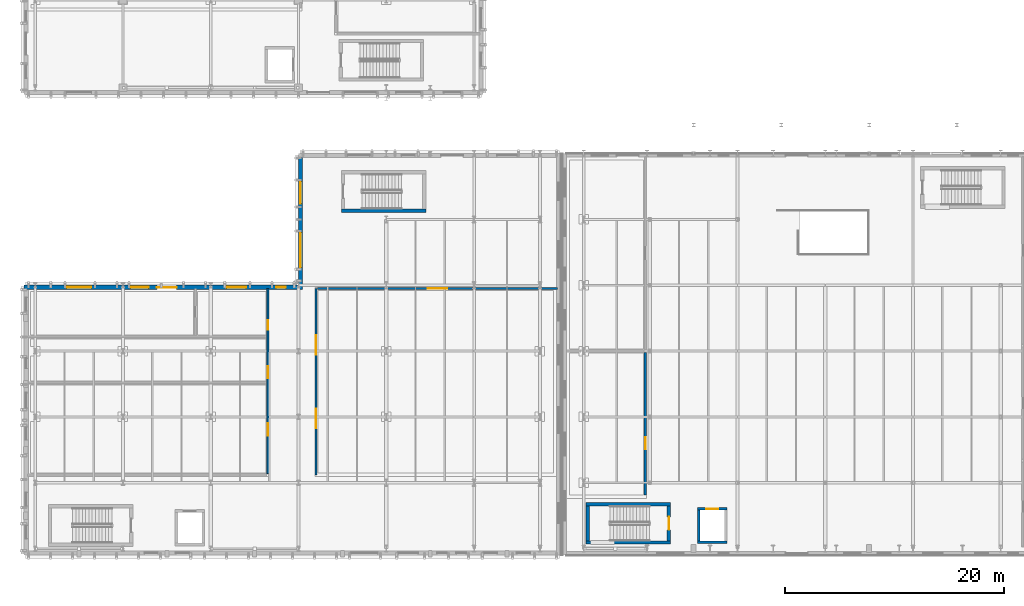
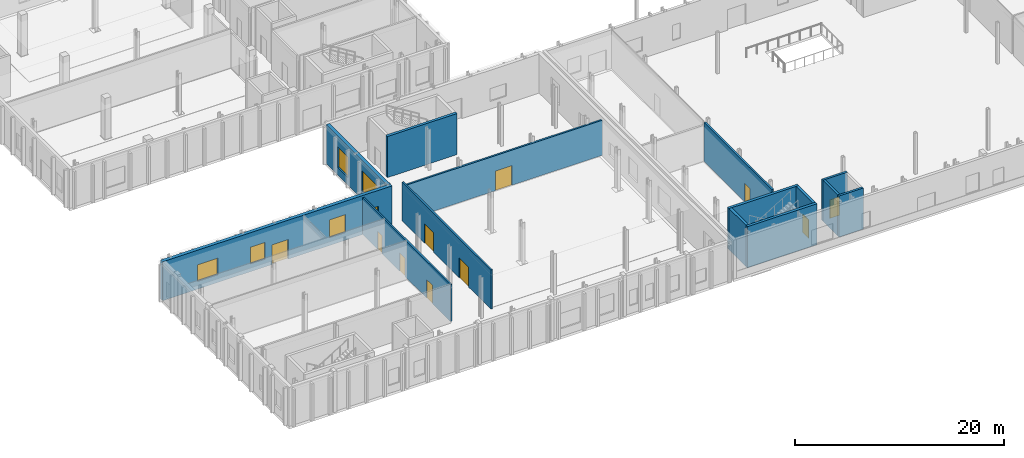
# One storey, part 22 of 60: 14 walls, 10 doors, 6 windows, 16 openings.
"""IFC4 building model written with IfcOpenShell, lengths in metres."""

from ifc_helpers import new_model, si_unit, direction, frame, frame_2d, origin, place, context, subcontext, project, spatial, rectangle, extrude, material, layer, layer_set, type_object, element, fill, save


model = new_model("IFC4")

# Units and contexts
model_context = context("Model", 3, precision=1e-05, world=origin(), true_north=direction((0.0, 1.0)))
body_context = subcontext(model_context, "Body", "Model", "MODEL_VIEW")
ifc_project = project(units=[si_unit("LENGTHUNIT", "METRE"), si_unit("AREAUNIT", "SQUARE_METRE"), si_unit("VOLUMEUNIT", "CUBIC_METRE"), si_unit("PLANEANGLEUNIT", "RADIAN"), si_unit("MASSUNIT", "GRAM", prefix="KILO")], contexts=[model_context])

# Site, building, storey
site_placement = place(None, origin())
site = spatial("IfcSite", under=ifc_project, at=site_placement, CompositionType="ELEMENT")
building_placement = place(site_placement, origin())
building = spatial("IfcBuilding", under=site, at=building_placement, Name="Cymarion Research Institute", CompositionType="ELEMENT")
storey_placement = place(building_placement, origin())
storey = spatial("IfcBuildingStorey", under=building, at=storey_placement, Name="L00", CompositionType="ELEMENT", Elevation=0.0)

# Wall, openings, windows
ifc_material_1 = material(Name="Precast concrete C40/50", Category="concrete")
ifc_layer_1 = layer(ifc_material_1, 0.3798828125)
ifc_layer_set_1 = layer_set([ifc_layer_1], Name="Precast concrete C40/50")
wall_type_1 = type_object("IfcWallType", Name="EXTERIOR WALL EW-PC380 380MM", PredefinedType="SOLIDWALL", material=ifc_layer_set_1)
wall_1_placement = place(storey_placement, frame((30.7900390625, 41.137939453125, 0.0), z_axis=(0.0, 0.0, 1.0), x_axis=(0.0, -1.0, 0.0)))
wall_1 = element("IfcWall", 1, at=wall_1_placement, inside=storey, type_object=wall_type_1, Name="L00 V3 exterior wall EW-PC380 #62", PredefinedType="SOLIDWALL", context=body_context, shape_type="SweptSolid", body=[
    extrude(rectangle(XDim=11.637939453125, YDim=0.3798828125, at=frame_2d((5.81884765625, 0.0))), origin(), (0.0, 0.0, 1.0), 4.550048828125),
])
opening_1_placement = place(wall_1_placement, frame((2.198974609375, 0.0, 0.89990234375)))
opening_1 = element("IfcOpeningElement", 2, at=opening_1_placement, cuts=wall_1, Name="Opening W21", PredefinedType="OPENING", context=body_context, shape_type="SweptSolid", body=[
    extrude(rectangle(XDim=2.0, YDim=2.39990234375, at=frame_2d((1.0, 1.199951171875))), frame((0.0, 0.199951171875, 0.0), z_axis=(0.0, -1.0, 0.0), x_axis=(1.0, 0.0, 0.0)), (0.0, 0.0, 1.0), 0.39990234375),
])
opening_2_placement = place(wall_1_placement, frame((6.837890625, 0.0, 0.89990234375)))
opening_2 = element("IfcOpeningElement", 3, at=opening_2_placement, cuts=wall_1, Name="Opening W23", PredefinedType="OPENING", context=body_context, shape_type="SweptSolid", body=[
    extrude(rectangle(XDim=3.199951171875, YDim=2.39990234375, at=frame_2d((1.60009765625, 1.199951171875))), frame((0.0, 0.199951171875, 0.0), z_axis=(0.0, -1.0, 0.0), x_axis=(1.0, 0.0, 0.0)), (0.0, 0.0, 1.0), 0.39990234375),
])
ifc_material_2 = material(Name="Thermally broken aluminium window with Low-E glazing", Category="aluminium")
window_type_1 = type_object("IfcWindowType", Name="THERMALLY BROKEN ALUMINIUM WINDOW W21 2000X2400", PartitioningType="DOUBLE_PANEL_VERTICAL", PredefinedType="WINDOW", material=ifc_material_2)
window_1_placement = place(opening_1_placement, origin())
window_1 = element("IfcWindow", 4, at=window_1_placement, inside=storey, type_object=window_type_1, Name="L00 V3 facade window W21 #85", OverallHeight=2.39990234375, OverallWidth=2.0, PartitioningType="SINGLE_PANEL", PredefinedType="WINDOW", context=body_context, shape_type="SweptSolid", body=[
    extrude(rectangle(XDim=2.0, YDim=2.39990234375, at=frame_2d((1.0, 1.199951171875))), frame((0.0, 0.030029296875, 0.0), z_axis=(0.0, -1.0, 0.0), x_axis=(1.0, 0.0, 0.0)), (0.0, 0.0, 1.0), 0.06005859375),
])
fill(opening_1, window_1)
window_type_2 = type_object("IfcWindowType", Name="THERMALLY BROKEN ALUMINIUM WINDOW W23 3200X2400", PartitioningType="TRIPLE_PANEL_VERTICAL", PredefinedType="WINDOW", material=ifc_material_2)
window_2_placement = place(opening_2_placement, origin())
window_2 = element("IfcWindow", 5, at=window_2_placement, inside=storey, type_object=window_type_2, Name="L00 V3 facade window W23 #86", OverallHeight=2.39990234375, OverallWidth=3.199951171875, PartitioningType="SINGLE_PANEL", PredefinedType="WINDOW", context=body_context, shape_type="SweptSolid", body=[
    extrude(rectangle(XDim=3.199951171875, YDim=2.39990234375, at=frame_2d((1.60009765625, 1.199951171875))), frame((0.0, 0.030029296875, 0.0), z_axis=(0.0, -1.0, 0.0), x_axis=(1.0, 0.0, 0.0)), (0.0, 0.0, 1.0), 0.06005859375),
])
fill(opening_2, window_2)

# Wall, openings, door, windows
wall_2_placement = place(storey_placement, frame((30.9619140625, 29.31005859375, 0.0), z_axis=(0.0, 0.0, 1.0), x_axis=(-1.0, 0.0, 0.0)))
wall_2 = element("IfcWall", 6, at=wall_2_placement, inside=storey, type_object=wall_type_1, Name="L00 V3 exterior wall EW-PC380 #63", PredefinedType="SOLIDWALL", context=body_context, shape_type="SweptSolid", body=[
    extrude(rectangle(XDim=25.36181640625, YDim=0.3798828125, at=frame_2d((12.680908203125, 0.0))), origin(), (0.0, 0.0, 1.0), 4.550048828125),
])
opening_3_placement = place(wall_2_placement, frame((11.4619140625, 0.0, 0.0)))
opening_3 = element("IfcOpeningElement", 7, at=opening_3_placement, cuts=wall_2, Name="Opening D-EX11", PredefinedType="OPENING", context=body_context, shape_type="SweptSolid", body=[
    extrude(rectangle(XDim=1.800048828125, YDim=2.300048828125, at=frame_2d((0.89990234375, 1.14990234375))), frame((0.0, 0.199951171875, 0.0), z_axis=(0.0, -1.0, 0.0), x_axis=(1.0, 0.0, 0.0)), (0.0, 0.0, 1.0), 0.39990234375),
])
opening_4_placement = place(wall_2_placement, frame((1.511962890625, 0.0, 0.89990234375)))
opening_4 = element("IfcOpeningElement", 8, at=opening_4_placement, cuts=wall_2, Name="Opening W24", PredefinedType="OPENING", context=body_context, shape_type="SweptSolid", body=[
    extrude(rectangle(XDim=0.89990234375, YDim=1.800048828125, at=frame_2d((0.449951171875, 0.89990234375))), frame((0.0, 0.199951171875, 0.0), z_axis=(0.0, -1.0, 0.0), x_axis=(1.0, 0.0, 0.0)), (0.0, 0.0, 1.0), 0.39990234375),
])
opening_5_placement = place(wall_2_placement, frame((5.14208984375, 0.0, 0.89990234375)))
opening_5 = element("IfcOpeningElement", 9, at=opening_5_placement, cuts=wall_2, Name="Opening W10", PredefinedType="OPENING", context=body_context, shape_type="SweptSolid", body=[
    extrude(rectangle(XDim=1.800048828125, YDim=2.10009765625, at=frame_2d((0.89990234375, 1.050048828125))), frame((0.0, 0.199951171875, 0.0), z_axis=(0.0, -1.0, 0.0), x_axis=(1.0, 0.0, 0.0)), (0.0, 0.0, 1.0), 0.39990234375),
])
opening_6_placement = place(wall_2_placement, frame((14.02197265625, 0.0, 0.89990234375)))
opening_6 = element("IfcOpeningElement", 10, at=opening_6_placement, cuts=wall_2, Name="Opening W28", PredefinedType="OPENING", context=body_context, shape_type="SweptSolid", body=[
    extrude(rectangle(XDim=1.64990234375, YDim=1.949951171875, at=frame_2d((0.824951171875, 0.97509765625))), frame((0.0, 0.199951171875, 0.0), z_axis=(0.0, -1.0, 0.0), x_axis=(1.0, 0.0, 0.0)), (0.0, 0.0, 1.0), 0.39990234375),
])
opening_7_placement = place(wall_2_placement, frame((19.237060546875, 0.0, 0.89990234375)))
opening_7 = element("IfcOpeningElement", 11, at=opening_7_placement, cuts=wall_2, Name="Opening W30", PredefinedType="OPENING", context=body_context, shape_type="SweptSolid", body=[
    extrude(rectangle(XDim=2.25, YDim=1.949951171875, at=frame_2d((1.125, 0.97509765625))), frame((0.0, 0.199951171875, 0.0), z_axis=(0.0, -1.0, 0.0), x_axis=(1.0, 0.0, 0.0)), (0.0, 0.0, 1.0), 0.39990234375),
])
ifc_material_3 = material(Name="Thermally broken anodised aluminium glazed door", Category="aluminium")
door_type_1 = type_object("IfcDoorType", Name="GLAZED ALUMINIUM DOUBLE EXIT DOOR DT-EX180 1800X2300", OperationType="DOUBLE_DOOR_SINGLE_SWING", PredefinedType="DOOR", material=ifc_material_3)
door_1_placement = place(opening_3_placement, frame((1.800048828125, 0.0, 0.0), z_axis=(0.0, 0.0, 1.0), x_axis=(-1.0, 0.0, 0.0)))
door_1 = element("IfcDoor", 12, at=door_1_placement, inside=storey, type_object=door_type_1, Name="L00 V3 Final Exit Door D-EX11", OperationType="DOUBLE_DOOR_SINGLE_SWING", OverallHeight=2.300048828125, OverallWidth=1.800048828125, PredefinedType="DOOR", context=body_context, shape_type="SweptSolid", body=[
    extrude(rectangle(XDim=1.800048828125, YDim=2.300048828125, at=frame_2d((0.89990234375, 1.14990234375))), frame((0.0, 0.02490234375, 0.0), z_axis=(0.0, -1.0, 0.0), x_axis=(1.0, 0.0, 0.0)), (0.0, 0.0, 1.0), 0.050048828125),
])
fill(opening_3, door_1)
window_type_3 = type_object("IfcWindowType", Name="THERMALLY BROKEN ALUMINIUM WINDOW W10 1800X2100", PartitioningType="DOUBLE_PANEL_VERTICAL", PredefinedType="WINDOW", material=ifc_material_2)
window_3_placement = place(opening_5_placement, origin())
window_3 = element("IfcWindow", 13, at=window_3_placement, inside=storey, type_object=window_type_3, Name="L00 V3 facade window W10 #88", OverallHeight=2.10009765625, OverallWidth=1.800048828125, PartitioningType="SINGLE_PANEL", PredefinedType="WINDOW", context=body_context, shape_type="SweptSolid", body=[
    extrude(rectangle(XDim=1.800048828125, YDim=2.10009765625, at=frame_2d((0.89990234375, 1.050048828125))), frame((0.0, 0.030029296875, 0.0), z_axis=(0.0, -1.0, 0.0), x_axis=(1.0, 0.0, 0.0)), (0.0, 0.0, 1.0), 0.06005859375),
])
fill(opening_5, window_3)
window_type_4 = type_object("IfcWindowType", Name="THERMALLY BROKEN ALUMINIUM WINDOW W24 900X1800", PartitioningType="SINGLE_PANEL", PredefinedType="WINDOW", material=ifc_material_2)
window_4_placement = place(opening_4_placement, origin())
window_4 = element("IfcWindow", 14, at=window_4_placement, inside=storey, type_object=window_type_4, Name="L00 V3 facade window W24 #87", OverallHeight=1.800048828125, OverallWidth=0.89990234375, PartitioningType="SINGLE_PANEL", PredefinedType="WINDOW", context=body_context, shape_type="SweptSolid", body=[
    extrude(rectangle(XDim=0.89990234375, YDim=1.800048828125, at=frame_2d((0.449951171875, 0.89990234375))), frame((0.0, 0.030029296875, 0.0), z_axis=(0.0, -1.0, 0.0), x_axis=(1.0, 0.0, 0.0)), (0.0, 0.0, 1.0), 0.06005859375),
])
fill(opening_4, window_4)
window_type_5 = type_object("IfcWindowType", Name="THERMALLY BROKEN ALUMINIUM WINDOW W28 1650X1950", PartitioningType="DOUBLE_PANEL_VERTICAL", PredefinedType="WINDOW", material=ifc_material_2)
window_5_placement = place(opening_6_placement, origin())
window_5 = element("IfcWindow", 15, at=window_5_placement, inside=storey, type_object=window_type_5, Name="L00 V3 facade window W28 #89", OverallHeight=1.949951171875, OverallWidth=1.64990234375, PartitioningType="SINGLE_PANEL", PredefinedType="WINDOW", context=body_context, shape_type="SweptSolid", body=[
    extrude(rectangle(XDim=1.64990234375, YDim=1.949951171875, at=frame_2d((0.824951171875, 0.97509765625))), frame((0.0, 0.030029296875, 0.0), z_axis=(0.0, -1.0, 0.0), x_axis=(1.0, 0.0, 0.0)), (0.0, 0.0, 1.0), 0.06005859375),
])
fill(opening_6, window_5)
window_type_6 = type_object("IfcWindowType", Name="THERMALLY BROKEN ALUMINIUM WINDOW W30 2250X1950", PartitioningType="DOUBLE_PANEL_VERTICAL", PredefinedType="WINDOW", material=ifc_material_2)
window_6_placement = place(opening_7_placement, origin())
window_6 = element("IfcWindow", 16, at=window_6_placement, inside=storey, type_object=window_type_6, Name="L00 V3 facade window W30 #90", OverallHeight=1.949951171875, OverallWidth=2.25, PartitioningType="SINGLE_PANEL", PredefinedType="WINDOW", context=body_context, shape_type="SweptSolid", body=[
    extrude(rectangle(XDim=2.25, YDim=1.949951171875, at=frame_2d((1.125, 0.97509765625))), frame((0.0, 0.030029296875, 0.0), z_axis=(0.0, -1.0, 0.0), x_axis=(1.0, 0.0, 0.0)), (0.0, 0.0, 1.0), 0.06005859375),
])
fill(opening_7, window_6)

# Wall, opening, door
ifc_material_4 = material(Name="Autoclaved aerated masonry block AAC-4", Category="masonry")
ifc_layer_2 = layer(ifc_material_4, 0.199951171875)
ifc_layer_set_2 = layer_set([ifc_layer_2], Name="Autoclaved aerated masonry block AAC-4")
wall_type_2 = type_object("IfcWallType", Name="INTERIOR PARTITION IW-FR200 200MM", PredefinedType="SOLIDWALL", material=ifc_layer_set_2)
wall_3_placement = place(storey_placement, frame((62.199951171875, 10.39990234375, 0.0), z_axis=(0.0, 0.0, 1.0), x_axis=(0.0, 1.0, 0.0)))
wall_3 = element("IfcWall", 17, at=wall_3_placement, inside=storey, type_object=wall_type_2, Name="L00 V2 interior partition IW-FR200 #66", PredefinedType="SOLIDWALL", context=body_context, shape_type="SweptSolid", body=[
    extrude(rectangle(XDim=12.9501953125, YDim=0.199951171875, at=frame_2d((6.47509765625, 0.0))), origin(), (0.0, 0.0, 1.0), 4.550048828125),
])
opening_8_placement = place(wall_3_placement, frame((4.14697265625, 0.0, 0.0)))
opening_8 = element("IfcOpeningElement", 18, at=opening_8_placement, cuts=wall_3, Name="Opening D-L00-047", PredefinedType="OPENING", context=body_context, shape_type="SweptSolid", body=[
    extrude(rectangle(XDim=1.10009765625, YDim=2.14990234375, at=frame_2d((0.550048828125, 1.074951171875))), frame((0.0, 0.10986328125, 0.0), z_axis=(0.0, -1.0, 0.0), x_axis=(1.0, 0.0, 0.0)), (0.0, 0.0, 1.0), 0.219970703125),
])
ifc_material_5 = material(Name="Flush acoustic timber/steel door assembly", Category="steel")
door_type_2 = type_object("IfcDoorType", Name="LABORATORY WIDE SINGLE DOOR DT-LB110 1100X2150", OperationType="NOTDEFINED", PredefinedType="DOOR", material=ifc_material_5)
door_2_placement = place(opening_8_placement, origin())
door_2 = element("IfcDoor", 19, at=door_2_placement, inside=storey, type_object=door_type_2, Name="L00 Fire Command Room door D-L00-047", OperationType="SINGLE_SWING_RIGHT", OverallHeight=2.14990234375, OverallWidth=1.10009765625, PredefinedType="DOOR", context=body_context, shape_type="SweptSolid", body=[
    extrude(rectangle(XDim=1.10009765625, YDim=2.14990234375, at=frame_2d((0.550048828125, 1.074951171875))), frame((0.0, 0.02490234375, 0.0), z_axis=(0.0, -1.0, 0.0), x_axis=(1.0, 0.0, 0.0)), (0.0, 0.0, 1.0), 0.050048828125),
])
fill(opening_8, door_2)

# Wall, openings, doors
wall_4_placement = place(storey_placement, frame((32.199951171875, 12.199951171875, 0.0), z_axis=(0.0, 0.0, 1.0), x_axis=(0.0, 1.0, 0.0)))
wall_4 = element("IfcWall", 20, at=wall_4_placement, inside=storey, type_object=wall_type_2, Name="L00 V3 interior partition IW-FR200 #78", PredefinedType="SOLIDWALL", context=body_context, shape_type="SweptSolid", body=[
    extrude(rectangle(XDim=17.0, YDim=0.199951171875, at=frame_2d((8.5, 0.0))), origin(), (0.0, 0.0, 1.0), 4.550048828125),
])
opening_9_placement = place(wall_4_placement, frame((4.256103515625, 0.0, 0.0)))
opening_9 = element("IfcOpeningElement", 21, at=opening_9_placement, cuts=wall_4, Name="Opening D-L00-056", PredefinedType="OPENING", context=body_context, shape_type="SweptSolid", body=[
    extrude(rectangle(XDim=1.800048828125, YDim=2.300048828125, at=frame_2d((0.89990234375, 1.14990234375))), frame((0.0, 0.10986328125, 0.0), z_axis=(0.0, -1.0, 0.0), x_axis=(1.0, 0.0, 0.0)), (0.0, 0.0, 1.0), 0.219970703125),
])
opening_10_placement = place(wall_4_placement, frame((10.944091796875, 0.0, 0.0)))
opening_10 = element("IfcOpeningElement", 22, at=opening_10_placement, cuts=wall_4, Name="Opening D-L00-057", PredefinedType="OPENING", context=body_context, shape_type="SweptSolid", body=[
    extrude(rectangle(XDim=1.800048828125, YDim=2.300048828125, at=frame_2d((0.89990234375, 1.14990234375))), frame((0.0, 0.10986328125, 0.0), z_axis=(0.0, -1.0, 0.0), x_axis=(1.0, 0.0, 0.0)), (0.0, 0.0, 1.0), 0.219970703125),
])
door_type_3 = type_object("IfcDoorType", Name="LECTURE AUDITORIUM ACOUSTIC DOUBLE DOOR DT-AU180 1800X2300", OperationType="DOUBLE_DOOR_SINGLE_SWING", PredefinedType="DOOR", material=ifc_material_5)
door_3_placement = place(opening_9_placement, frame((1.800048828125, 0.0, 0.0), z_axis=(0.0, 0.0, 1.0), x_axis=(-1.0, 0.0, 0.0)))
door_3 = element("IfcDoor", 23, at=door_3_placement, inside=storey, type_object=door_type_3, Name="L00 Auditorium Entry S door D-L00-056", OperationType="DOUBLE_DOOR_SINGLE_SWING", OverallHeight=2.300048828125, OverallWidth=1.800048828125, PredefinedType="DOOR", context=body_context, shape_type="SweptSolid", body=[
    extrude(rectangle(XDim=1.800048828125, YDim=2.300048828125, at=frame_2d((0.89990234375, 1.14990234375))), frame((0.0, 0.02490234375, 0.0), z_axis=(0.0, -1.0, 0.0), x_axis=(1.0, 0.0, 0.0)), (0.0, 0.0, 1.0), 0.050048828125),
])
fill(opening_9, door_3)
door_4_placement = place(opening_10_placement, frame((1.800048828125, 0.0, 0.0), z_axis=(0.0, 0.0, 1.0), x_axis=(-1.0, 0.0, 0.0)))
door_4 = element("IfcDoor", 24, at=door_4_placement, inside=storey, type_object=door_type_3, Name="L00 Auditorium Entry N door D-L00-057", OperationType="DOUBLE_DOOR_SINGLE_SWING", OverallHeight=2.300048828125, OverallWidth=1.800048828125, PredefinedType="DOOR", context=body_context, shape_type="SweptSolid", body=[
    extrude(rectangle(XDim=1.800048828125, YDim=2.300048828125, at=frame_2d((0.89990234375, 1.14990234375))), frame((0.0, 0.02490234375, 0.0), z_axis=(0.0, -1.0, 0.0), x_axis=(1.0, 0.0, 0.0)), (0.0, 0.0, 1.0), 0.050048828125),
])
fill(opening_10, door_4)

# Wall, opening, door
wall_5_placement = place(storey_placement, frame((32.35009765625, 29.199951171875, 0.0), z_axis=(0.0, 0.0, 1.0), x_axis=(1.0, 0.0, 0.0)))
wall_5 = element("IfcWall", 25, at=wall_5_placement, inside=storey, type_object=wall_type_2, Name="L00 V3 interior partition IW-FR200 #79", PredefinedType="SOLIDWALL", context=body_context, shape_type="SweptSolid", body=[
    extrude(rectangle(XDim=21.844970703125, YDim=0.199951171875, at=frame_2d((10.92236328125, 0.0))), origin(), (0.0, 0.0, 1.0), 4.10009765625),
])
opening_11_placement = place(wall_5_placement, frame((10.02197265625, 0.0, 0.0)))
opening_11 = element("IfcOpeningElement", 26, at=opening_11_placement, cuts=wall_5, Name="Opening D-L00-058", PredefinedType="OPENING", context=body_context, shape_type="SweptSolid", body=[
    extrude(rectangle(XDim=1.800048828125, YDim=2.300048828125, at=frame_2d((0.89990234375, 1.14990234375))), frame((0.0, 0.10986328125, 0.0), z_axis=(0.0, -1.0, 0.0), x_axis=(1.0, 0.0, 0.0)), (0.0, 0.0, 1.0), 0.219970703125),
])
door_5_placement = place(opening_11_placement, origin())
door_5 = element("IfcDoor", 27, at=door_5_placement, inside=storey, type_object=door_type_3, Name="L00 Auditorium Foyer door D-L00-058", OperationType="DOUBLE_DOOR_SINGLE_SWING", OverallHeight=2.300048828125, OverallWidth=1.800048828125, PredefinedType="DOOR", context=body_context, shape_type="SweptSolid", body=[
    extrude(rectangle(XDim=1.800048828125, YDim=2.300048828125, at=frame_2d((0.89990234375, 1.14990234375))), frame((0.0, 0.02490234375, 0.0), z_axis=(0.0, -1.0, 0.0), x_axis=(1.0, 0.0, 0.0)), (0.0, 0.0, 1.0), 0.050048828125),
])
fill(opening_11, door_5)

# Wall, openings, doors
ifc_material_6 = material(Name="Moisture-resistant laboratory partition", Category="gypsum")
ifc_layer_3 = layer(ifc_material_6, 0.179931640625)
ifc_layer_set_3 = layer_set([ifc_layer_3], Name="Moisture-resistant laboratory partition")
wall_type_3 = type_object("IfcWallType", Name="INTERIOR PARTITION IW-LB180 180MM", PredefinedType="PARTITIONING", material=ifc_layer_set_3)
wall_6_placement = place(storey_placement, frame((27.800048828125, 12.340087890625, 0.0), z_axis=(0.0, 0.0, 1.0), x_axis=(0.0, 1.0, 0.0)))
wall_6 = element("IfcWall", 28, at=wall_6_placement, inside=storey, type_object=wall_type_3, Name="L00 V3 interior partition IW-LB180 #77", PredefinedType="PARTITIONING", context=body_context, shape_type="SweptSolid", body=[
    extrude(rectangle(XDim=16.85498046875, YDim=0.179931640625, at=frame_2d((8.427490234375, 0.0))), origin(), (0.0, 0.0, 1.0), 4.31005859375),
])
opening_12_placement = place(wall_6_placement, frame((3.466064453125, 0.0, 0.0)))
opening_12 = element("IfcOpeningElement", 29, at=opening_12_placement, cuts=wall_6, Name="Opening D-L00-053", PredefinedType="OPENING", context=body_context, shape_type="SweptSolid", body=[
    extrude(rectangle(XDim=1.10009765625, YDim=2.14990234375, at=frame_2d((0.550048828125, 1.074951171875))), frame((0.0, 0.099853515625, 0.0), z_axis=(0.0, -1.0, 0.0), x_axis=(1.0, 0.0, 0.0)), (0.0, 0.0, 1.0), 0.199951171875),
])
opening_13_placement = place(wall_6_placement, frame((8.6650390625, 0.0, 0.0)))
opening_13 = element("IfcOpeningElement", 30, at=opening_13_placement, cuts=wall_6, Name="Opening D-L00-054", PredefinedType="OPENING", context=body_context, shape_type="SweptSolid", body=[
    extrude(rectangle(XDim=1.10009765625, YDim=2.14990234375, at=frame_2d((0.550048828125, 1.074951171875))), frame((0.0, 0.099853515625, 0.0), z_axis=(0.0, -1.0, 0.0), x_axis=(1.0, 0.0, 0.0)), (0.0, 0.0, 1.0), 0.199951171875),
])
opening_14_placement = place(wall_6_placement, frame((13.0830078125, 0.0, 0.0)))
opening_14 = element("IfcOpeningElement", 31, at=opening_14_placement, cuts=wall_6, Name="Opening D-L00-055", PredefinedType="OPENING", context=body_context, shape_type="SweptSolid", body=[
    extrude(rectangle(XDim=0.89990234375, YDim=2.10009765625, at=frame_2d((0.449951171875, 1.050048828125))), frame((0.0, 0.099853515625, 0.0), z_axis=(0.0, -1.0, 0.0), x_axis=(1.0, 0.0, 0.0)), (0.0, 0.0, 1.0), 0.199951171875),
])
door_type_4 = type_object("IfcDoorType", Name="ACCESSIBLE RESTROOM DOOR DT-WC090 900X2100", OperationType="NOTDEFINED", PredefinedType="DOOR", material=ifc_material_5)
door_6_placement = place(opening_14_placement, origin())
door_6 = element("IfcDoor", 32, at=door_6_placement, inside=storey, type_object=door_type_4, Name="L00 Restroom door D-L00-055", OperationType="SINGLE_SWING_RIGHT", OverallHeight=2.10009765625, OverallWidth=0.89990234375, PredefinedType="DOOR", context=body_context, shape_type="SweptSolid", body=[
    extrude(rectangle(XDim=0.89990234375, YDim=2.10009765625, at=frame_2d((0.449951171875, 1.050048828125))), frame((0.0, 0.02490234375, 0.0), z_axis=(0.0, -1.0, 0.0), x_axis=(1.0, 0.0, 0.0)), (0.0, 0.0, 1.0), 0.050048828125),
])
fill(opening_14, door_6)
door_7_placement = place(opening_12_placement, origin())
door_7 = element("IfcDoor", 33, at=door_7_placement, inside=storey, type_object=door_type_2, Name="L00 Teaching Lab 1 door D-L00-053", OperationType="SINGLE_SWING_RIGHT", OverallHeight=2.14990234375, OverallWidth=1.10009765625, PredefinedType="DOOR", context=body_context, shape_type="SweptSolid", body=[
    extrude(rectangle(XDim=1.10009765625, YDim=2.14990234375, at=frame_2d((0.550048828125, 1.074951171875))), frame((0.0, 0.02490234375, 0.0), z_axis=(0.0, -1.0, 0.0), x_axis=(1.0, 0.0, 0.0)), (0.0, 0.0, 1.0), 0.050048828125),
])
fill(opening_12, door_7)
door_8_placement = place(opening_13_placement, origin())
door_8 = element("IfcDoor", 34, at=door_8_placement, inside=storey, type_object=door_type_2, Name="L00 Teaching Lab 2 door D-L00-054", OperationType="SINGLE_SWING_LEFT", OverallHeight=2.14990234375, OverallWidth=1.10009765625, PredefinedType="DOOR", context=body_context, shape_type="SweptSolid", body=[
    extrude(rectangle(XDim=1.10009765625, YDim=2.14990234375, at=frame_2d((0.550048828125, 1.074951171875))), frame((0.0, 0.02490234375, 0.0), z_axis=(0.0, -1.0, 0.0), x_axis=(1.0, 0.0, 0.0)), (0.0, 0.0, 1.0), 0.050048828125),
])
fill(opening_13, door_8)

# Wall
ifc_material_7 = material(Name="Concrete C40/50", Category="concrete")
ifc_layer_4 = layer(ifc_material_7, 0.25)
ifc_layer_set_4 = layer_set([ifc_layer_4], Name="Concrete C40/50")
wall_type_4 = type_object("IfcWallType", Name="REINFORCED CONCRETE CORE WALL CW-SH250 250MM", PredefinedType="SHEAR", material=ifc_layer_set_4)
wall_7_placement = place(storey_placement, frame((66.949951171875, 6.074951171875, 0.0), z_axis=(0.0, 0.0, 1.0), x_axis=(1.0, 0.0, 0.0)))
element("IfcWall", 35, at=wall_7_placement, inside=storey, type_object=wall_type_4, Name="L00 LSH-LP2-L00 south core wall", PredefinedType="SHEAR", context=body_context, shape_type="SweptSolid", body=[
    extrude(rectangle(XDim=2.699951171875, YDim=0.25, at=frame_2d((1.35009765625, 0.0))), origin(), (0.0, 0.0, 1.0), 4.800048828125),
])

# Wall, opening, door
wall_8_placement = place(storey_placement, frame((69.64990234375, 9.125, 0.0), z_axis=(0.0, 0.0, 1.0), x_axis=(-1.0, 0.0, 0.0)))
wall_8 = element("IfcWall", 36, at=wall_8_placement, inside=storey, type_object=wall_type_4, Name="L00 LSH-LP2-L00 north core wall", PredefinedType="SHEAR", context=body_context, shape_type="SweptSolid", body=[
    extrude(rectangle(XDim=2.699951171875, YDim=0.25, at=frame_2d((1.35009765625, 0.0))), origin(), (0.0, 0.0, 1.0), 4.800048828125),
])
opening_15_placement = place(wall_8_placement, frame((0.800048828125, 0.0, 0.0)))
opening_15 = element("IfcOpeningElement", 37, at=opening_15_placement, cuts=wall_8, Name="Opening LD-LP2-L00", PredefinedType="OPENING", context=body_context, shape_type="SweptSolid", body=[
    extrude(rectangle(XDim=1.10009765625, YDim=2.14990234375, at=frame_2d((0.550048828125, 1.074951171875))), frame((0.0, 0.135009765625, 0.0), z_axis=(0.0, -1.0, 0.0), x_axis=(1.0, 0.0, 0.0)), (0.0, 0.0, 1.0), 0.27001953125),
])
ifc_material_8 = material(Name="Fire-rated insulated steel door assembly", Category="steel")
door_type_5 = type_object("IfcDoorType", Name="SLIDING LIFT LANDING DOOR DT-LD110 1100X2150", OperationType="DOUBLE_DOOR_SLIDING", PredefinedType="DOOR", material=ifc_material_8)
door_9_placement = place(opening_15_placement, origin())
door_9 = element("IfcDoor", 38, at=door_9_placement, inside=storey, type_object=door_type_5, Name="Lift LP2 landing door L00", OperationType="DOUBLE_DOOR_SLIDING", OverallHeight=2.14990234375, OverallWidth=1.10009765625, PredefinedType="DOOR", context=body_context, shape_type="SweptSolid", body=[
    extrude(rectangle(XDim=1.10009765625, YDim=2.14990234375, at=frame_2d((0.550048828125, 1.074951171875))), frame((0.0, 0.02490234375, 0.0), z_axis=(0.0, -1.0, 0.0), x_axis=(1.0, 0.0, 0.0)), (0.0, 0.0, 1.0), 0.050048828125),
])
fill(opening_15, door_9)

# Walls
wall_9_placement = place(storey_placement, frame((67.074951171875, 9.0, 0.0), z_axis=(0.0, 0.0, 1.0), x_axis=(0.0, -1.0, 0.0)))
element("IfcWall", 39, at=wall_9_placement, inside=storey, type_object=wall_type_4, Name="L00 LSH-LP2-L00 west core wall", PredefinedType="SHEAR", context=body_context, shape_type="SweptSolid", body=[
    extrude(rectangle(XDim=2.800048828125, YDim=0.25, at=frame_2d((1.39990234375, 0.0))), origin(), (0.0, 0.0, 1.0), 4.800048828125),
])
ifc_layer_5 = layer(ifc_material_7, 0.300048828125)
ifc_layer_set_5 = layer_set([ifc_layer_5], Name="Concrete C40/50")
wall_type_5 = type_object("IfcWallType", Name="REINFORCED CONCRETE CORE WALL CW-SH300 300MM", PredefinedType="SHEAR", material=ifc_layer_set_5)
for number, where, z_axis, x_axis, name in (
    (40, (56.800048828125, 6.050048828125, 0.0), (0.0, 0.0, 1.0), (1.0, 0.0, 0.0), "L00 SHW-C3-L00 south core wall"),
    (41, (64.5, 9.550048828125, 0.0), (0.0, 0.0, 1.0), (-1.0, 0.0, 0.0), "L00 SHW-C3-L00 north core wall"),
):
    element("IfcWall", number, at=place(storey_placement, frame(where, z_axis=z_axis, x_axis=x_axis)), inside=storey, type_object=wall_type_5, Name=name, PredefinedType="SHEAR", context=body_context, shape_type="SweptSolid", body=[
        extrude(rectangle(XDim=7.699951171875, YDim=0.300048828125, at=frame_2d((3.85009765625, 0.0))), origin(), (0.0, 0.0, 1.0), 4.800048828125),
    ])
wall_10_placement = place(storey_placement, frame((56.949951171875, 9.39990234375, 0.0), z_axis=(0.0, 0.0, 1.0), x_axis=(0.0, -1.0, 0.0)))
element("IfcWall", 42, at=wall_10_placement, inside=storey, type_object=wall_type_5, Name="L00 SHW-C3-L00 west core wall", PredefinedType="SHEAR", context=body_context, shape_type="SweptSolid", body=[
    extrude(rectangle(XDim=3.199951171875, YDim=0.300048828125, at=frame_2d((1.60009765625, 0.0))), origin(), (0.0, 0.0, 1.0), 4.800048828125),
])

# Wall, opening, door
wall_11_placement = place(storey_placement, frame((64.35009765625, 6.199951171875, 0.0), z_axis=(0.0, 0.0, 1.0), x_axis=(0.0, 1.0, 0.0)))
wall_11 = element("IfcWall", 43, at=wall_11_placement, inside=storey, type_object=wall_type_5, Name="L00 SHW-C3-L00 east core wall", PredefinedType="SHEAR", context=body_context, shape_type="SweptSolid", body=[
    extrude(rectangle(XDim=3.199951171875, YDim=0.300048828125, at=frame_2d((1.60009765625, 0.0))), origin(), (0.0, 0.0, 1.0), 4.800048828125),
])
opening_16_placement = place(wall_11_placement, frame((1.0, 0.0, 0.0)))
opening_16 = element("IfcOpeningElement", 44, at=opening_16_placement, cuts=wall_11, Name="Opening FD-L00-ST3", PredefinedType="OPENING", context=body_context, shape_type="SweptSolid", body=[
    extrude(rectangle(XDim=1.199951171875, YDim=2.14990234375, at=frame_2d((0.60009765625, 1.074951171875))), frame((0.0, 0.159912109375, 0.0), z_axis=(0.0, -1.0, 0.0), x_axis=(1.0, 0.0, 0.0)), (0.0, 0.0, 1.0), 0.320068359375),
])
door_type_6 = type_object("IfcDoorType", Name="SMOKE PROOF STAIR FIRE DOOR DT-ST120 1200X2150", OperationType="NOTDEFINED", PredefinedType="DOOR", material=ifc_material_8)
door_10_placement = place(opening_16_placement, frame((1.199951171875, 0.0, 0.0), z_axis=(0.0, 0.0, 1.0), x_axis=(-1.0, 0.0, 0.0)))
door_10 = element("IfcDoor", 45, at=door_10_placement, inside=storey, type_object=door_type_6, Name="L00 ST3 smoke-proof stair door FD-L00-ST3", OperationType="SINGLE_SWING_RIGHT", OverallHeight=2.14990234375, OverallWidth=1.199951171875, PredefinedType="DOOR", context=body_context, shape_type="SweptSolid", body=[
    extrude(rectangle(XDim=1.199951171875, YDim=2.14990234375, at=frame_2d((0.60009765625, 1.074951171875))), frame((0.0, 0.02490234375, 0.0), z_axis=(0.0, -1.0, 0.0), x_axis=(1.0, 0.0, 0.0)), (0.0, 0.0, 1.0), 0.050048828125),
])
fill(opening_16, door_10)

# Wall
wall_12_placement = place(storey_placement, frame((34.5, 36.300048828125, 0.0), z_axis=(0.0, 0.0, 1.0), x_axis=(1.0, 0.0, 0.0)))
element("IfcWall", 46, at=wall_12_placement, inside=storey, type_object=wall_type_5, Name="L00 SHW-C6-L00 south core wall", PredefinedType="SHEAR", context=body_context, shape_type="SweptSolid", body=[
    extrude(rectangle(XDim=7.699951171875, YDim=0.300048828125, at=frame_2d((3.85009765625, 0.0))), origin(), (0.0, 0.0, 1.0), 4.800048828125),
])

save(model, "model.ifc")
